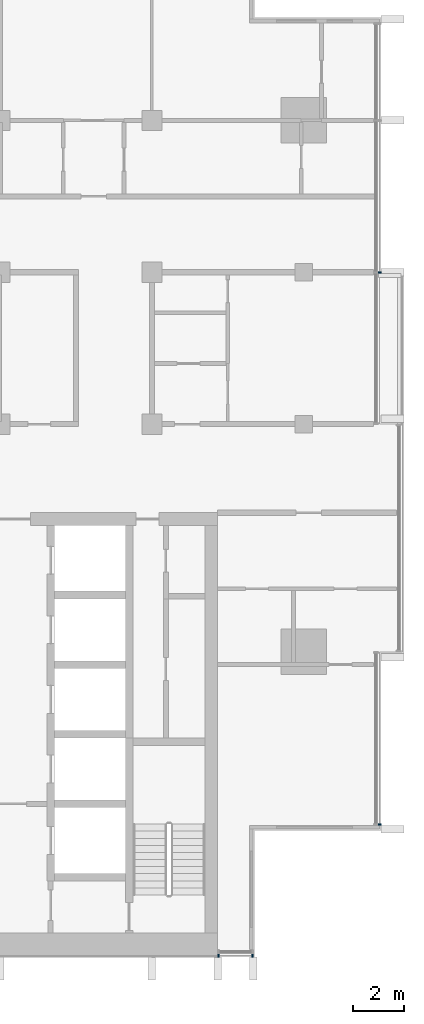
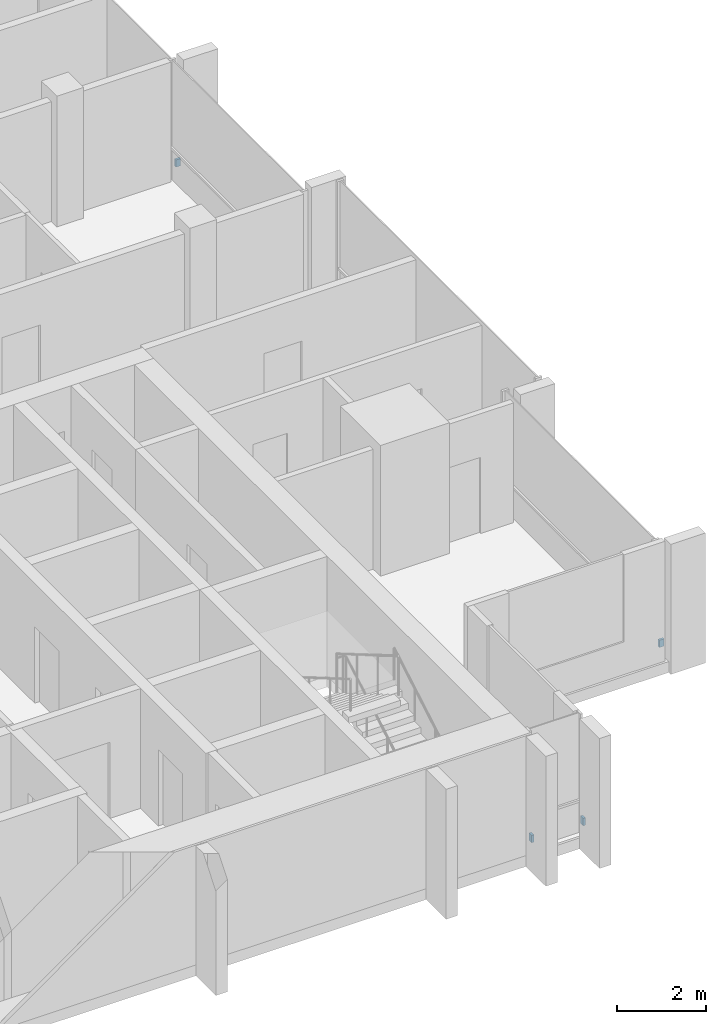
# One storey, part 13 of 16: 4 discrete accessories.
"""IFC4 building model written with IfcOpenShell, lengths in metres."""

import ifcopenshell
import ifcopenshell.guid

model = None  # the IFC model being written
_history = None  # IfcOwnerHistory: only IFC2X3 demands one
_inside = {}  # id of a spatial element -> (the spatial element, [elements in it])
_under = {}  # id of a project, library or spatial element -> (it, [spatial elements below it])
_declared = {}  # id of a project -> (the project, [libraries it declares])
_typed = {}  # id of a type object -> (the type object, [elements of that type])
_made_of = {}  # id of a material, layer set ... -> (it, [elements and type objects made of it])


def new_model(schema):
    """Start an empty IFC model of exactly this schema.

    Asked for "IFC4X3", IfcOpenShell would pick the latest addendum, in which some entities
    have other attributes; the version numbers below select the first issue.
    IFC2X3 requires an IfcOwnerHistory on every rooted entity: one is made here for all.
    """
    global model, _history
    if schema == "IFC4X3":
        model = ifcopenshell.file(schema_version=(4, 3, 0, 0))
    else:
        model = ifcopenshell.file(schema=schema)
    _inside.clear()
    _under.clear()
    _declared.clear()
    _typed.clear()
    _made_of.clear()
    _history = None
    if model.schema == "IFC2X3":
        org = make("IfcOrganization", Name="unknown")
        user = make(
            "IfcPersonAndOrganization",
            ThePerson=make("IfcPerson", FamilyName="unknown"),
            TheOrganization=org,
        )
        app = make(
            "IfcApplication",
            ApplicationDeveloper=org,
            Version="unknown",
            ApplicationFullName="unknown",
            ApplicationIdentifier="unknown",
        )
        _history = make(
            "IfcOwnerHistory",
            OwningUser=user,
            OwningApplication=app,
            ChangeAction="ADDED",
            CreationDate=0,
        )
    return model


def make(cls, **values):
    """One entity of the class cls with the attributes given. An attribute that is None is left unset."""
    return model.create_entity(
        cls, **{name: value for name, value in values.items() if value is not None}
    )


def rooted(cls, **values):
    """An entity with a GlobalId (a new one), such as an element, a storey or a relation."""
    return make(cls, GlobalId=ifcopenshell.guid.new(), OwnerHistory=_history, **values)


def si_unit(unit_type, name, prefix=None):
    """IfcSIUnit, for example si_unit("LENGTHUNIT", "METRE", prefix="MILLI")."""
    return make("IfcSIUnit", UnitType=unit_type, Prefix=prefix, Name=name)


def assignment(units):
    """IfcUnitAssignment: the units of a project."""
    return None if units is None else make("IfcUnitAssignment", Units=units)


def point(xyz):
    """IfcCartesianPoint."""
    return None if xyz is None else make("IfcCartesianPoint", Coordinates=xyz)


def direction(xyz):
    """IfcDirection."""
    return None if xyz is None else make("IfcDirection", DirectionRatios=xyz)


def frame(location, z_axis=None, x_axis=None):
    """IfcAxis2Placement3D, a coordinate frame: its origin and axes. An axis left out is left unset."""
    return make(
        "IfcAxis2Placement3D",
        Location=point(location),
        Axis=direction(z_axis),
        RefDirection=direction(x_axis),
    )


def frame_2d(location, x_axis=None):
    """IfcAxis2Placement2D, a coordinate frame in the plane: its origin and x axis."""
    return make(
        "IfcAxis2Placement2D", Location=point(location), RefDirection=direction(x_axis)
    )


def origin():
    """The frame at (0, 0, 0) with its axes left unset."""
    return frame((0.0, 0.0, 0.0))


def origin_2d():
    """The frame at (0, 0) in the plane with its x axis left unset."""
    return frame_2d((0.0, 0.0))


def place(relative_to, where):
    """IfcLocalPlacement: puts the frame where relative to a parent placement (None: the world)."""
    return make(
        "IfcLocalPlacement", PlacementRelTo=relative_to, RelativePlacement=where
    )


def context(
    kind, dimensions, precision=None, world=None, true_north=None, identifier=None
):
    """IfcGeometricRepresentationContext, for example the 3D "Model" context."""
    return make(
        "IfcGeometricRepresentationContext",
        ContextIdentifier=identifier,
        ContextType=kind,
        CoordinateSpaceDimension=dimensions,
        Precision=precision,
        WorldCoordinateSystem=world,
        TrueNorth=true_north,
    )


def subcontext(parent, identifier, kind, view, scale=None):
    """IfcGeometricRepresentationSubContext, for example "Body" below "Model"."""
    return make(
        "IfcGeometricRepresentationSubContext",
        ContextIdentifier=identifier,
        ContextType=kind,
        ParentContext=parent,
        TargetScale=scale,
        TargetView=view,
    )


def project(units=None, contexts=None):
    """IfcProject with its units and contexts."""
    return rooted(
        "IfcProject",
        Name="project",
        RepresentationContexts=contexts,
        UnitsInContext=assignment(units),
    )


def spatial(cls, under=None, at=None, **own):
    """A site, building, storey or space (cls), placed at a placement, below another one or the project."""
    s = rooted(cls, ObjectPlacement=at, **own)
    if under is not None:
        _under.setdefault(under.id(), (under, []))[1].append(s)
    return s


def profile(cls, at=None, kind="AREA", **sizes):
    """A parametric profile (cls). Its sizes go by their IFC names, for example OverallWidth=200.0."""
    return make(cls, ProfileType=kind, Position=at, **sizes)


def rectangle(**sizes):
    """IfcRectangleProfileDef."""
    return profile("IfcRectangleProfileDef", **sizes)


def extrude(swept, where, along, depth):
    """IfcExtrudedAreaSolid: the profile swept, set in the frame where, extruded along a direction by depth."""
    return make(
        "IfcExtrudedAreaSolid",
        SweptArea=swept,
        Position=where,
        ExtrudedDirection=direction(along),
        Depth=depth,
    )


def shape(context_of_items, identifier, shape_type, items):
    """IfcShapeRepresentation: the items that make up one representation, for example the "Body"."""
    return make(
        "IfcShapeRepresentation",
        ContextOfItems=context_of_items,
        RepresentationIdentifier=identifier,
        RepresentationType=shape_type,
        Items=items,
    )


def material(Name=None, Category=None):
    """IfcMaterial."""
    return make("IfcMaterial", Name=Name, Category=Category)


def made_of(thing, what):
    """Note that an element or type object is made of a material, layer set ...; save() writes the relation."""
    if what is not None:
        _made_of.setdefault(what.id(), (what, []))[1].append(thing)
    return thing


def type_object(cls, material=None, **own):
    """A type object (cls), such as IfcWallType, which elements share."""
    return made_of(rooted(cls, **own), material)


def element(
    cls,
    number,
    at=None,
    inside=None,
    cuts=None,
    type_object=None,
    material=None,
    context=None,
    identifier="Body",
    shape_type=None,
    held_by="IfcProductDefinitionShape",
    body=None,
    shapes=None,
    **own,
):
    """One element of the class cls, such as IfcWall. Its Tag is "e" and its number.

    at: its placement. inside: the storey or other place that contains it. cuts: it is an
    opening in that element (IfcRelVoidsElement). A single representation is given by context,
    identifier, shape_type and body (its items); several are given by shapes. held_by: the class
    of the entity that holds the representations. save() writes the other relations.
    """
    e = rooted(cls, Tag="e%d" % number, ObjectPlacement=at, **own)
    if body is not None:
        shapes = [shape(context, identifier, shape_type, body)]
    if shapes is not None:
        e.Representation = make(held_by, Representations=shapes)
    if inside is not None:
        _inside.setdefault(inside.id(), (inside, []))[1].append(e)
    if cuts is not None:
        rooted(
            "IfcRelVoidsElement", RelatingBuildingElement=cuts, RelatedOpeningElement=e
        )
    if type_object is not None:
        _typed.setdefault(type_object.id(), (type_object, []))[1].append(e)
    return made_of(e, material)


def aggregate(whole, parts):
    """IfcRelAggregates: a whole, such as a stair, and the parts it consists of."""
    return rooted("IfcRelAggregates", RelatingObject=whole, RelatedObjects=parts)


def save(model, path):
    """Write the relations noted so far, then the file.

    IfcRelAggregates (storeys below a building ...), IfcRelContainedInSpatialStructure (elements
    in a storey), IfcRelDefinesByType, IfcRelAssociatesMaterial and IfcRelDeclares: one each for
    every whole, place, type object, material and project.
    """
    for whole, parts in _under.values():
        aggregate(whole, parts)
    for where, things in _inside.values():
        rooted(
            "IfcRelContainedInSpatialStructure",
            RelatedElements=things,
            RelatingStructure=where,
        )
    for kind, things in _typed.values():
        rooted("IfcRelDefinesByType", RelatedObjects=things, RelatingType=kind)
    for what, things in _made_of.values():
        rooted("IfcRelAssociatesMaterial", RelatedObjects=things, RelatingMaterial=what)
    for by, libraries in _declared.values():
        rooted("IfcRelDeclares", RelatingContext=by, RelatedDefinitions=libraries)
    model.write(path)


model = new_model("IFC4")

# Units and contexts
model_context = context("Model", 3, precision=1e-05, world=origin(), true_north=direction((0.0, 1.0)))
body_context = subcontext(model_context, "Body", "Model", "MODEL_VIEW")
ifc_project = project(units=[si_unit("LENGTHUNIT", "METRE"), si_unit("AREAUNIT", "SQUARE_METRE"), si_unit("VOLUMEUNIT", "CUBIC_METRE"), si_unit("PLANEANGLEUNIT", "RADIAN"), si_unit("MASSUNIT", "GRAM", prefix="KILO")], contexts=[model_context])

# Site, building, storey
site_placement = place(None, origin())
site = spatial("IfcSite", under=ifc_project, at=site_placement, CompositionType="ELEMENT")
building_placement = place(site_placement, origin())
building = spatial("IfcBuilding", under=site, at=building_placement, Name="Finial Court Residences", CompositionType="ELEMENT")
storey_placement = place(building_placement, frame((0.0, 0.0, 277.10009765625)))
storey = spatial("IfcBuildingStorey", under=building, at=storey_placement, Name="L70", CompositionType="ELEMENT", Elevation=277.10009765625)

# Discrete accessories
ifc_material = material(Name="Stainless steel 316", Category="steel")
discrete_accessory_type = type_object("IfcDiscreteAccessoryType", Name="Fin bracket, stainless steel 60 x 122 x 200", PredefinedType="BRACKET", material=ifc_material)
for number, where, z_axis, x_axis, name in (
    (1, (19.498779296875, -20.320068359375, 0.2998046875), (0.0, 0.0, 1.0), (1.0, 0.0, 0.0), "E-L70-FIN-E7-BRK"),
    (2, (19.498779296875, 1.5, 0.2998046875), (0.0, 0.0, 1.0), (1.0, 0.0, 0.0), "E-L70-FIN-E10-BRK"),
):
    element("IfcDiscreteAccessory", number, at=place(storey_placement, frame(where, z_axis=z_axis, x_axis=x_axis)), inside=storey, type_object=discrete_accessory_type, Name=name, PredefinedType="BRACKET", context=body_context, shape_type="SweptSolid", body=[
        extrude(rectangle(XDim=0.12255859375, YDim=0.06005859375, at=origin_2d()), origin(), (0.0, 0.0, 1.0), 0.199951171875),
    ])
for number, where, z_axis, x_axis, name in (
    (3, (13.1298828125, -25.498779296875, 0.2998046875), (0.0, 0.0, 1.0), (1.0, 0.0, 0.0), "E-L70-FIN-S19-BRK"),
    (4, (14.469970703125, -25.498779296875, 0.2998046875), (0.0, 0.0, 1.0), (1.0, 0.0, 0.0), "E-L70-FIN-S20-BRK"),
):
    element("IfcDiscreteAccessory", number, at=place(storey_placement, frame(where, z_axis=z_axis, x_axis=x_axis)), inside=storey, type_object=discrete_accessory_type, Name=name, PredefinedType="BRACKET", context=body_context, shape_type="SweptSolid", body=[
        extrude(rectangle(XDim=0.06005859375, YDim=0.12255859375, at=origin_2d()), origin(), (0.0, 0.0, 1.0), 0.199951171875),
    ])

save(model, "model.ifc")
